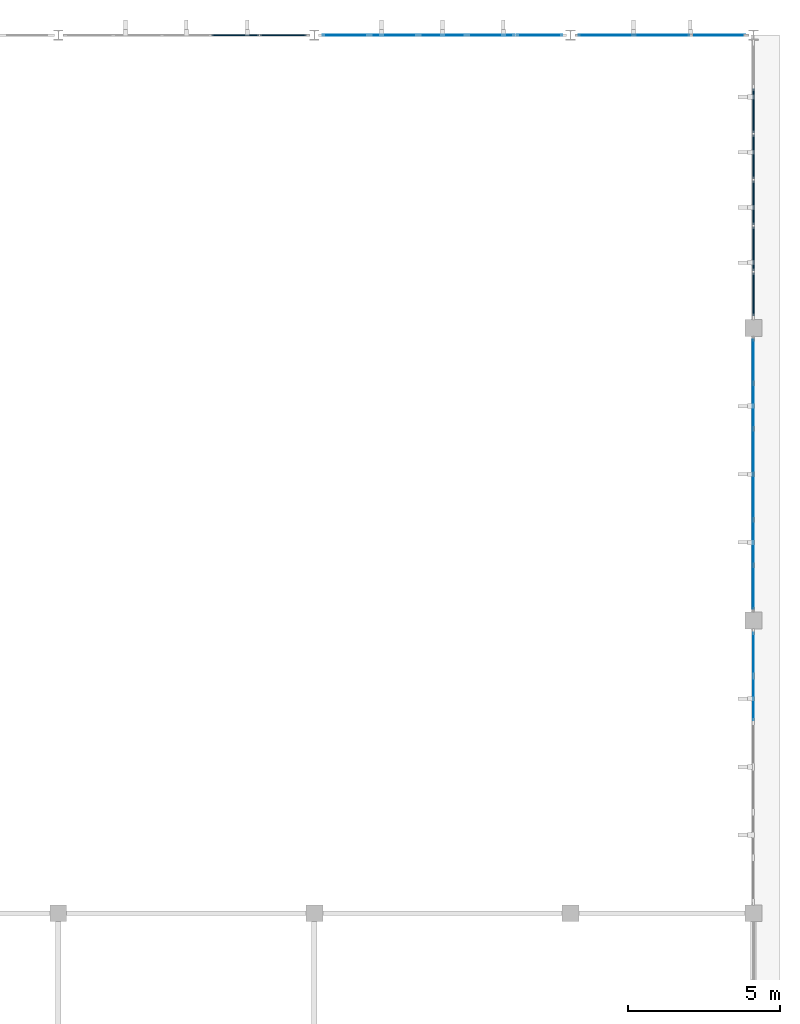
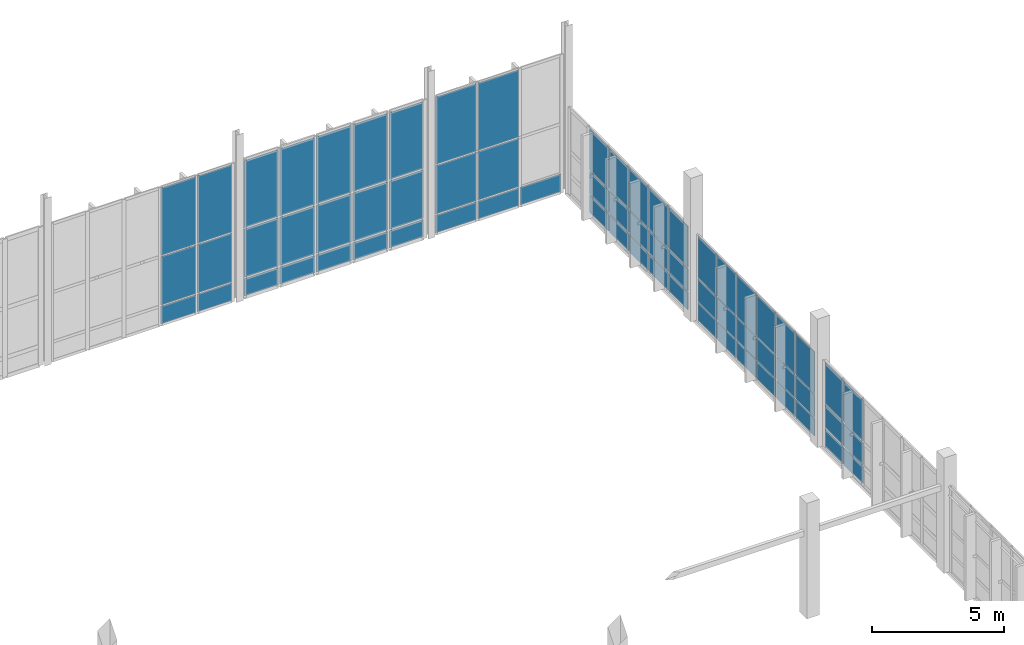
# One storey, part 40 of 67: 67 plates, 6 elements without a shape of their own.
"""IFC4 building model written with IfcOpenShell, lengths in metres."""

import ifcopenshell
import ifcopenshell.guid

model = None  # the IFC model being written
_history = None  # IfcOwnerHistory: only IFC2X3 demands one
_inside = {}  # id of a spatial element -> (the spatial element, [elements in it])
_under = {}  # id of a project, library or spatial element -> (it, [spatial elements below it])
_declared = {}  # id of a project -> (the project, [libraries it declares])
_typed = {}  # id of a type object -> (the type object, [elements of that type])
_made_of = {}  # id of a material, layer set ... -> (it, [elements and type objects made of it])


def new_model(schema):
    """Start an empty IFC model of exactly this schema.

    Asked for "IFC4X3", IfcOpenShell would pick the latest addendum, in which some entities
    have other attributes; the version numbers below select the first issue.
    IFC2X3 requires an IfcOwnerHistory on every rooted entity: one is made here for all.
    """
    global model, _history
    if schema == "IFC4X3":
        model = ifcopenshell.file(schema_version=(4, 3, 0, 0))
    else:
        model = ifcopenshell.file(schema=schema)
    _inside.clear()
    _under.clear()
    _declared.clear()
    _typed.clear()
    _made_of.clear()
    _history = None
    if model.schema == "IFC2X3":
        org = make("IfcOrganization", Name="unknown")
        user = make(
            "IfcPersonAndOrganization",
            ThePerson=make("IfcPerson", FamilyName="unknown"),
            TheOrganization=org,
        )
        app = make(
            "IfcApplication",
            ApplicationDeveloper=org,
            Version="unknown",
            ApplicationFullName="unknown",
            ApplicationIdentifier="unknown",
        )
        _history = make(
            "IfcOwnerHistory",
            OwningUser=user,
            OwningApplication=app,
            ChangeAction="ADDED",
            CreationDate=0,
        )
    return model


def make(cls, **values):
    """One entity of the class cls with the attributes given. An attribute that is None is left unset."""
    return model.create_entity(
        cls, **{name: value for name, value in values.items() if value is not None}
    )


def rooted(cls, **values):
    """An entity with a GlobalId (a new one), such as an element, a storey or a relation."""
    return make(cls, GlobalId=ifcopenshell.guid.new(), OwnerHistory=_history, **values)


def si_unit(unit_type, name, prefix=None):
    """IfcSIUnit, for example si_unit("LENGTHUNIT", "METRE", prefix="MILLI")."""
    return make("IfcSIUnit", UnitType=unit_type, Prefix=prefix, Name=name)


def assignment(units):
    """IfcUnitAssignment: the units of a project."""
    return None if units is None else make("IfcUnitAssignment", Units=units)


def point(xyz):
    """IfcCartesianPoint."""
    return None if xyz is None else make("IfcCartesianPoint", Coordinates=xyz)


def direction(xyz):
    """IfcDirection."""
    return None if xyz is None else make("IfcDirection", DirectionRatios=xyz)


def frame(location, z_axis=None, x_axis=None):
    """IfcAxis2Placement3D, a coordinate frame: its origin and axes. An axis left out is left unset."""
    return make(
        "IfcAxis2Placement3D",
        Location=point(location),
        Axis=direction(z_axis),
        RefDirection=direction(x_axis),
    )


def frame_2d(location, x_axis=None):
    """IfcAxis2Placement2D, a coordinate frame in the plane: its origin and x axis."""
    return make(
        "IfcAxis2Placement2D", Location=point(location), RefDirection=direction(x_axis)
    )


def origin():
    """The frame at (0, 0, 0) with its axes left unset."""
    return frame((0.0, 0.0, 0.0))


def origin_2d():
    """The frame at (0, 0) in the plane with its x axis left unset."""
    return frame_2d((0.0, 0.0))


def place(relative_to, where):
    """IfcLocalPlacement: puts the frame where relative to a parent placement (None: the world)."""
    return make(
        "IfcLocalPlacement", PlacementRelTo=relative_to, RelativePlacement=where
    )


def context(
    kind, dimensions, precision=None, world=None, true_north=None, identifier=None
):
    """IfcGeometricRepresentationContext, for example the 3D "Model" context."""
    return make(
        "IfcGeometricRepresentationContext",
        ContextIdentifier=identifier,
        ContextType=kind,
        CoordinateSpaceDimension=dimensions,
        Precision=precision,
        WorldCoordinateSystem=world,
        TrueNorth=true_north,
    )


def subcontext(parent, identifier, kind, view, scale=None):
    """IfcGeometricRepresentationSubContext, for example "Body" below "Model"."""
    return make(
        "IfcGeometricRepresentationSubContext",
        ContextIdentifier=identifier,
        ContextType=kind,
        ParentContext=parent,
        TargetScale=scale,
        TargetView=view,
    )


def project(units=None, contexts=None):
    """IfcProject with its units and contexts."""
    return rooted(
        "IfcProject",
        Name="project",
        RepresentationContexts=contexts,
        UnitsInContext=assignment(units),
    )


def spatial(cls, under=None, at=None, **own):
    """A site, building, storey or space (cls), placed at a placement, below another one or the project."""
    s = rooted(cls, ObjectPlacement=at, **own)
    if under is not None:
        _under.setdefault(under.id(), (under, []))[1].append(s)
    return s


def profile(cls, at=None, kind="AREA", **sizes):
    """A parametric profile (cls). Its sizes go by their IFC names, for example OverallWidth=200.0."""
    return make(cls, ProfileType=kind, Position=at, **sizes)


def rectangle(**sizes):
    """IfcRectangleProfileDef."""
    return profile("IfcRectangleProfileDef", **sizes)


def extrude(swept, where, along, depth):
    """IfcExtrudedAreaSolid: the profile swept, set in the frame where, extruded along a direction by depth."""
    return make(
        "IfcExtrudedAreaSolid",
        SweptArea=swept,
        Position=where,
        ExtrudedDirection=direction(along),
        Depth=depth,
    )


def shape(context_of_items, identifier, shape_type, items):
    """IfcShapeRepresentation: the items that make up one representation, for example the "Body"."""
    return make(
        "IfcShapeRepresentation",
        ContextOfItems=context_of_items,
        RepresentationIdentifier=identifier,
        RepresentationType=shape_type,
        Items=items,
    )


def material(Name=None, Category=None):
    """IfcMaterial."""
    return make("IfcMaterial", Name=Name, Category=Category)


def layer(
    of_material, thickness, ventilated=None, Name=None, Category=None, Priority=None
):
    """IfcMaterialLayer: one layer of a wall or slab, of a material (None: an air gap)."""
    return make(
        "IfcMaterialLayer",
        Material=of_material,
        LayerThickness=thickness,
        IsVentilated=ventilated,
        Name=Name,
        Category=Category,
        Priority=Priority,
    )


def layer_set(layers, Name=None):
    """IfcMaterialLayerSet."""
    return make("IfcMaterialLayerSet", MaterialLayers=layers, LayerSetName=Name)


def made_of(thing, what):
    """Note that an element or type object is made of a material, layer set ...; save() writes the relation."""
    if what is not None:
        _made_of.setdefault(what.id(), (what, []))[1].append(thing)
    return thing


def type_object(cls, material=None, **own):
    """A type object (cls), such as IfcWallType, which elements share."""
    return made_of(rooted(cls, **own), material)


def element(
    cls,
    number,
    at=None,
    inside=None,
    cuts=None,
    type_object=None,
    material=None,
    context=None,
    identifier="Body",
    shape_type=None,
    held_by="IfcProductDefinitionShape",
    body=None,
    shapes=None,
    **own,
):
    """One element of the class cls, such as IfcWall. Its Tag is "e" and its number.

    at: its placement. inside: the storey or other place that contains it. cuts: it is an
    opening in that element (IfcRelVoidsElement). A single representation is given by context,
    identifier, shape_type and body (its items); several are given by shapes. held_by: the class
    of the entity that holds the representations. save() writes the other relations.
    """
    e = rooted(cls, Tag="e%d" % number, ObjectPlacement=at, **own)
    if body is not None:
        shapes = [shape(context, identifier, shape_type, body)]
    if shapes is not None:
        e.Representation = make(held_by, Representations=shapes)
    if inside is not None:
        _inside.setdefault(inside.id(), (inside, []))[1].append(e)
    if cuts is not None:
        rooted(
            "IfcRelVoidsElement", RelatingBuildingElement=cuts, RelatedOpeningElement=e
        )
    if type_object is not None:
        _typed.setdefault(type_object.id(), (type_object, []))[1].append(e)
    return made_of(e, material)


def aggregate(whole, parts):
    """IfcRelAggregates: a whole, such as a stair, and the parts it consists of."""
    return rooted("IfcRelAggregates", RelatingObject=whole, RelatedObjects=parts)


def save(model, path):
    """Write the relations noted so far, then the file.

    IfcRelAggregates (storeys below a building ...), IfcRelContainedInSpatialStructure (elements
    in a storey), IfcRelDefinesByType, IfcRelAssociatesMaterial and IfcRelDeclares: one each for
    every whole, place, type object, material and project.
    """
    for whole, parts in _under.values():
        aggregate(whole, parts)
    for where, things in _inside.values():
        rooted(
            "IfcRelContainedInSpatialStructure",
            RelatedElements=things,
            RelatingStructure=where,
        )
    for kind, things in _typed.values():
        rooted("IfcRelDefinesByType", RelatedObjects=things, RelatingType=kind)
    for what, things in _made_of.values():
        rooted("IfcRelAssociatesMaterial", RelatedObjects=things, RelatingMaterial=what)
    for by, libraries in _declared.values():
        rooted("IfcRelDeclares", RelatingContext=by, RelatedDefinitions=libraries)
    model.write(path)


model = new_model("IFC4")

# Units and contexts
model_context = context("Model", 3, precision=1e-05, world=origin(), true_north=direction((0.0, 1.0)))
body_context = subcontext(model_context, "Body", "Model", "MODEL_VIEW")
ifc_project = project(units=[si_unit("LENGTHUNIT", "METRE"), si_unit("AREAUNIT", "SQUARE_METRE"), si_unit("VOLUMEUNIT", "CUBIC_METRE"), si_unit("PLANEANGLEUNIT", "RADIAN"), si_unit("MASSUNIT", "GRAM", prefix="KILO")], contexts=[model_context])

# Site, building, storey
site_placement = place(None, origin())
site = spatial("IfcSite", under=ifc_project, at=site_placement, CompositionType="ELEMENT")
building_placement = place(site_placement, origin())
building = spatial("IfcBuilding", under=site, at=building_placement, Name="Tizgana Railside Sports Hall", CompositionType="ELEMENT")
storey_placement = place(building_placement, frame((0.0, 0.0, 12.0)))
storey = spatial("IfcBuildingStorey", under=building, at=storey_placement, Name="L02", CompositionType="ELEMENT", Elevation=12.0)

# Curtain wall, plates
ifc_material_1 = material(Name="Anodised aluminium and glass", Category="aluminium")
curtain_wall_type_1 = type_object("IfcCurtainWallType", Name="Unitised Curtain Wall Foyer 1300", PredefinedType="NOTDEFINED", material=ifc_material_1)
curtain_wall_1_placement = place(storey_placement, origin())
curtain_wall_1 = element("IfcCurtainWall", 1, at=curtain_wall_1_placement, inside=storey, type_object=curtain_wall_type_1, Name="L02 Curtain Wall CW-0049", PredefinedType="NOTDEFINED")
ifc_material_2 = material(Name="Double low-E laminated glass", Category="glass")
ifc_layer_1 = layer(ifc_material_2, 0.033935546875, Name="Double low-E laminated glass")
ifc_layer_set_1 = layer_set([ifc_layer_1], Name="Double low-E laminated glass")
plate_type_1 = type_object("IfcPlateType", Name="Acoustic Laminated Glazing Panel 34", PredefinedType="CURTAIN_PANEL", material=ifc_layer_set_1)
plate_1_placement = place(storey_placement, frame((155.197998046875, 117.60009765625, 0.06005859375), z_axis=(0.0, 0.0, 1.0), x_axis=(1.0, 0.0, 0.0)))
plate_1 = element("IfcPlate", 2, at=plate_1_placement, type_object=plate_type_1, Name="CW-02 panel 4.1", PredefinedType="CURTAIN_PANEL", context=body_context, shape_type="SweptSolid", body=[
    extrude(rectangle(XDim=1.5380859375, YDim=0.033935546875, at=origin_2d()), origin(), (0.0, 0.0, 1.0), 0.81005859375),
])
plate_2_placement = place(storey_placement, frame((155.197998046875, 117.60009765625, 0.93017578125), z_axis=(0.0, 0.0, 1.0), x_axis=(1.0, 0.0, 0.0)))
plate_2 = element("IfcPlate", 3, at=plate_2_placement, type_object=plate_type_1, Name="CW-02 panel 4.2", PredefinedType="CURTAIN_PANEL", context=body_context, shape_type="SweptSolid", body=[
    extrude(rectangle(XDim=1.5380859375, YDim=0.033935546875, at=origin_2d()), origin(), (0.0, 0.0, 1.0), 2.239990234375),
])
plate_3_placement = place(storey_placement, frame((155.197998046875, 117.60009765625, 3.22998046875), z_axis=(0.0, 0.0, 1.0), x_axis=(1.0, 0.0, 0.0)))
plate_3 = element("IfcPlate", 4, at=plate_3_placement, type_object=plate_type_1, Name="CW-02 panel 4.3", PredefinedType="CURTAIN_PANEL", context=body_context, shape_type="SweptSolid", body=[
    extrude(rectangle(XDim=1.5380859375, YDim=0.033935546875, at=origin_2d()), origin(), (0.0, 0.0, 1.0), 3.110107421875),
])
plate_4_placement = place(storey_placement, frame((156.781005859375, 117.60009765625, 0.06005859375), z_axis=(0.0, 0.0, 1.0), x_axis=(1.0, 0.0, 0.0)))
plate_4 = element("IfcPlate", 5, at=plate_4_placement, type_object=plate_type_1, Name="CW-02 panel 5.1", PredefinedType="CURTAIN_PANEL", context=body_context, shape_type="SweptSolid", body=[
    extrude(rectangle(XDim=1.508056640625, YDim=0.033935546875, at=origin_2d()), origin(), (0.0, 0.0, 1.0), 0.81005859375),
])
plate_5_placement = place(storey_placement, frame((156.781005859375, 117.60009765625, 0.93017578125), z_axis=(0.0, 0.0, 1.0), x_axis=(1.0, 0.0, 0.0)))
plate_5 = element("IfcPlate", 6, at=plate_5_placement, type_object=plate_type_1, Name="CW-02 panel 5.2", PredefinedType="CURTAIN_PANEL", context=body_context, shape_type="SweptSolid", body=[
    extrude(rectangle(XDim=1.508056640625, YDim=0.033935546875, at=origin_2d()), origin(), (0.0, 0.0, 1.0), 2.239990234375),
])
plate_6_placement = place(storey_placement, frame((156.781005859375, 117.60009765625, 3.22998046875), z_axis=(0.0, 0.0, 1.0), x_axis=(1.0, 0.0, 0.0)))
plate_6 = element("IfcPlate", 7, at=plate_6_placement, type_object=plate_type_1, Name="CW-02 panel 5.3", PredefinedType="CURTAIN_PANEL", context=body_context, shape_type="SweptSolid", body=[
    extrude(rectangle(XDim=1.508056640625, YDim=0.033935546875, at=origin_2d()), origin(), (0.0, 0.0, 1.0), 3.110107421875),
])
aggregate(curtain_wall_1, [plate_1, plate_2, plate_3, plate_4, plate_5, plate_6])

curtain_wall_type_2 = type_object("IfcCurtainWallType", Name="Unitised Curtain Wall WestHall 1560", PredefinedType="NOTDEFINED", material=ifc_material_1)
curtain_wall_2_placement = place(storey_placement, origin())
curtain_wall_2 = element("IfcCurtainWall", 8, at=curtain_wall_2_placement, inside=storey, type_object=curtain_wall_type_2, Name="L02 Curtain Wall CW-0070", PredefinedType="NOTDEFINED")
ifc_layer_2 = layer(ifc_material_2, 0.0400390625, Name="Double low-E laminated glass")
ifc_layer_set_2 = layer_set([ifc_layer_2], Name="Double low-E laminated glass")
plate_type_2 = type_object("IfcPlateType", Name="High-Span Tempered Glazing Panel 40", PredefinedType="CURTAIN_PANEL", material=ifc_layer_set_2)
plate_7_placement = place(storey_placement, frame((172.199951171875, 109.10205078125, 0.070068359375), z_axis=(0.0, 0.0, 1.0), x_axis=(0.0, 1.0, 0.0)))
plate_7 = element("IfcPlate", 9, at=plate_7_placement, type_object=plate_type_2, Name="CW-07 panel 1.1", PredefinedType="CURTAIN_PANEL", context=body_context, shape_type="SweptSolid", body=[
    extrude(rectangle(XDim=1.404052734375, YDim=0.0400390625, at=origin_2d()), origin(), (0.0, 0.0, 1.0), 0.794921875),
])
plate_8_placement = place(storey_placement, frame((172.199951171875, 109.10205078125, 0.93505859375), z_axis=(0.0, 0.0, 1.0), x_axis=(0.0, 1.0, 0.0)))
plate_8 = element("IfcPlate", 10, at=plate_8_placement, type_object=plate_type_2, Name="CW-07 panel 1.2", PredefinedType="CURTAIN_PANEL", context=body_context, shape_type="SweptSolid", body=[
    extrude(rectangle(XDim=1.404052734375, YDim=0.0400390625, at=origin_2d()), origin(), (0.0, 0.0, 1.0), 1.030029296875),
])
plate_9_placement = place(storey_placement, frame((172.199951171875, 109.10205078125, 2.034912109375), z_axis=(0.0, 0.0, 1.0), x_axis=(0.0, 1.0, 0.0)))
plate_9 = element("IfcPlate", 11, at=plate_9_placement, type_object=plate_type_2, Name="CW-07 panel 1.3", PredefinedType="CURTAIN_PANEL", context=body_context, shape_type="SweptSolid", body=[
    extrude(rectangle(XDim=1.404052734375, YDim=0.0400390625, at=origin_2d()), origin(), (0.0, 0.0, 1.0), 1.89501953125),
])
plate_10_placement = place(storey_placement, frame((172.199951171875, 110.59375, 0.070068359375), z_axis=(0.0, 0.0, 1.0), x_axis=(0.0, 1.0, 0.0)))
plate_10 = element("IfcPlate", 12, at=plate_10_placement, type_object=plate_type_2, Name="CW-07 panel 2.1", PredefinedType="CURTAIN_PANEL", context=body_context, shape_type="SweptSolid", body=[
    extrude(rectangle(XDim=1.439208984375, YDim=0.0400390625, at=origin_2d()), origin(), (0.0, 0.0, 1.0), 0.794921875),
])
plate_11_placement = place(storey_placement, frame((172.199951171875, 110.59375, 0.93505859375), z_axis=(0.0, 0.0, 1.0), x_axis=(0.0, 1.0, 0.0)))
plate_11 = element("IfcPlate", 13, at=plate_11_placement, type_object=plate_type_2, Name="CW-07 panel 2.2", PredefinedType="CURTAIN_PANEL", context=body_context, shape_type="SweptSolid", body=[
    extrude(rectangle(XDim=1.439208984375, YDim=0.0400390625, at=origin_2d()), origin(), (0.0, 0.0, 1.0), 1.030029296875),
])
plate_12_placement = place(storey_placement, frame((172.199951171875, 110.59375, 2.034912109375), z_axis=(0.0, 0.0, 1.0), x_axis=(0.0, 1.0, 0.0)))
plate_12 = element("IfcPlate", 14, at=plate_12_placement, type_object=plate_type_2, Name="CW-07 panel 2.3", PredefinedType="CURTAIN_PANEL", context=body_context, shape_type="SweptSolid", body=[
    extrude(rectangle(XDim=1.439208984375, YDim=0.0400390625, at=origin_2d()), origin(), (0.0, 0.0, 1.0), 1.89501953125),
])
plate_13_placement = place(storey_placement, frame((172.199951171875, 112.10302734375, 0.070068359375), z_axis=(0.0, 0.0, 1.0), x_axis=(0.0, 1.0, 0.0)))
plate_13 = element("IfcPlate", 15, at=plate_13_placement, type_object=plate_type_2, Name="CW-07 panel 3.1", PredefinedType="CURTAIN_PANEL", context=body_context, shape_type="SweptSolid", body=[
    extrude(rectangle(XDim=1.439208984375, YDim=0.0400390625, at=origin_2d()), origin(), (0.0, 0.0, 1.0), 0.794921875),
])
plate_14_placement = place(storey_placement, frame((172.199951171875, 112.10302734375, 0.93505859375), z_axis=(0.0, 0.0, 1.0), x_axis=(0.0, 1.0, 0.0)))
plate_14 = element("IfcPlate", 16, at=plate_14_placement, type_object=plate_type_2, Name="CW-07 panel 3.2", PredefinedType="CURTAIN_PANEL", context=body_context, shape_type="SweptSolid", body=[
    extrude(rectangle(XDim=1.439208984375, YDim=0.0400390625, at=origin_2d()), origin(), (0.0, 0.0, 1.0), 1.030029296875),
])
plate_15_placement = place(storey_placement, frame((172.199951171875, 112.10302734375, 2.034912109375), z_axis=(0.0, 0.0, 1.0), x_axis=(0.0, 1.0, 0.0)))
plate_15 = element("IfcPlate", 17, at=plate_15_placement, type_object=plate_type_2, Name="CW-07 panel 3.3", PredefinedType="CURTAIN_PANEL", context=body_context, shape_type="SweptSolid", body=[
    extrude(rectangle(XDim=1.439208984375, YDim=0.0400390625, at=origin_2d()), origin(), (0.0, 0.0, 1.0), 1.89501953125),
])
plate_16_placement = place(storey_placement, frame((172.199951171875, 113.612060546875, 0.070068359375), z_axis=(0.0, 0.0, 1.0), x_axis=(0.0, 1.0, 0.0)))
plate_16 = element("IfcPlate", 18, at=plate_16_placement, type_object=plate_type_2, Name="CW-07 panel 4.1", PredefinedType="CURTAIN_PANEL", context=body_context, shape_type="SweptSolid", body=[
    extrude(rectangle(XDim=1.439208984375, YDim=0.0400390625, at=origin_2d()), origin(), (0.0, 0.0, 1.0), 0.794921875),
])
plate_17_placement = place(storey_placement, frame((172.199951171875, 113.612060546875, 0.93505859375), z_axis=(0.0, 0.0, 1.0), x_axis=(0.0, 1.0, 0.0)))
plate_17 = element("IfcPlate", 19, at=plate_17_placement, type_object=plate_type_2, Name="CW-07 panel 4.2", PredefinedType="CURTAIN_PANEL", context=body_context, shape_type="SweptSolid", body=[
    extrude(rectangle(XDim=1.439208984375, YDim=0.0400390625, at=origin_2d()), origin(), (0.0, 0.0, 1.0), 1.030029296875),
])
plate_18_placement = place(storey_placement, frame((172.199951171875, 113.612060546875, 2.034912109375), z_axis=(0.0, 0.0, 1.0), x_axis=(0.0, 1.0, 0.0)))
plate_18 = element("IfcPlate", 20, at=plate_18_placement, type_object=plate_type_2, Name="CW-07 panel 4.3", PredefinedType="CURTAIN_PANEL", context=body_context, shape_type="SweptSolid", body=[
    extrude(rectangle(XDim=1.439208984375, YDim=0.0400390625, at=origin_2d()), origin(), (0.0, 0.0, 1.0), 1.89501953125),
])
plate_19_placement = place(storey_placement, frame((172.199951171875, 115.121337890625, 0.070068359375), z_axis=(0.0, 0.0, 1.0), x_axis=(0.0, 1.0, 0.0)))
plate_19 = element("IfcPlate", 21, at=plate_19_placement, type_object=plate_type_2, Name="CW-07 panel 5.1", PredefinedType="CURTAIN_PANEL", context=body_context, shape_type="SweptSolid", body=[
    extrude(rectangle(XDim=1.439208984375, YDim=0.0400390625, at=origin_2d()), origin(), (0.0, 0.0, 1.0), 0.794921875),
])
plate_20_placement = place(storey_placement, frame((172.199951171875, 115.121337890625, 0.93505859375), z_axis=(0.0, 0.0, 1.0), x_axis=(0.0, 1.0, 0.0)))
plate_20 = element("IfcPlate", 22, at=plate_20_placement, type_object=plate_type_2, Name="CW-07 panel 5.2", PredefinedType="CURTAIN_PANEL", context=body_context, shape_type="SweptSolid", body=[
    extrude(rectangle(XDim=1.439208984375, YDim=0.0400390625, at=origin_2d()), origin(), (0.0, 0.0, 1.0), 1.030029296875),
])
plate_21_placement = place(storey_placement, frame((172.199951171875, 115.121337890625, 2.034912109375), z_axis=(0.0, 0.0, 1.0), x_axis=(0.0, 1.0, 0.0)))
plate_21 = element("IfcPlate", 23, at=plate_21_placement, type_object=plate_type_2, Name="CW-07 panel 5.3", PredefinedType="CURTAIN_PANEL", context=body_context, shape_type="SweptSolid", body=[
    extrude(rectangle(XDim=1.439208984375, YDim=0.0400390625, at=origin_2d()), origin(), (0.0, 0.0, 1.0), 1.89501953125),
])
aggregate(curtain_wall_2, [plate_7, plate_8, plate_9, plate_10, plate_11, plate_12, plate_13, plate_14, plate_15, plate_16, plate_17, plate_18, plate_19, plate_20, plate_21])

curtain_wall_type_3 = type_object("IfcCurtainWallType", Name="Unitised Curtain Wall EastHall 1500", PredefinedType="NOTDEFINED", material=ifc_material_1)
curtain_wall_3_placement = place(storey_placement, origin())
curtain_wall_3 = element("IfcCurtainWall", 24, at=curtain_wall_3_placement, inside=storey, type_object=curtain_wall_type_3, Name="L02 Curtain Wall CW-0055", PredefinedType="NOTDEFINED")
ifc_layer_3 = layer(ifc_material_2, 0.031982421875, Name="Double low-E laminated glass")
ifc_layer_set_3 = layer_set([ifc_layer_3], Name="Double low-E laminated glass")
plate_type_3 = type_object("IfcPlateType", Name="North-Light Clerestory Glazing Panel 32", PredefinedType="CURTAIN_PANEL", material=ifc_layer_set_3)
plate_22_placement = place(storey_placement, frame((167.3515625, 117.60009765625, 0.06005859375), z_axis=(0.0, 0.0, 1.0), x_axis=(1.0, 0.0, 0.0)))
plate_22 = element("IfcPlate", 25, at=plate_22_placement, type_object=plate_type_3, Name="CW-08 panel 1.1", PredefinedType="CURTAIN_PANEL", context=body_context, shape_type="SweptSolid", body=[
    extrude(rectangle(XDim=1.7734375, YDim=0.031982421875, at=origin_2d()), origin(), (0.0, 0.0, 1.0), 0.81005859375),
])
plate_23_placement = place(storey_placement, frame((167.3515625, 117.60009765625, 0.93017578125), z_axis=(0.0, 0.0, 1.0), x_axis=(1.0, 0.0, 0.0)))
plate_23 = element("IfcPlate", 26, at=plate_23_placement, type_object=plate_type_3, Name="CW-08 panel 1.2", PredefinedType="CURTAIN_PANEL", context=body_context, shape_type="SweptSolid", body=[
    extrude(rectangle(XDim=1.7734375, YDim=0.031982421875, at=origin_2d()), origin(), (0.0, 0.0, 1.0), 2.239990234375),
])
plate_24_placement = place(storey_placement, frame((167.3515625, 117.60009765625, 3.22998046875), z_axis=(0.0, 0.0, 1.0), x_axis=(1.0, 0.0, 0.0)))
plate_24 = element("IfcPlate", 27, at=plate_24_placement, type_object=plate_type_3, Name="CW-08 panel 1.3", PredefinedType="CURTAIN_PANEL", context=body_context, shape_type="SweptSolid", body=[
    extrude(rectangle(XDim=1.7734375, YDim=0.031982421875, at=origin_2d()), origin(), (0.0, 0.0, 1.0), 3.110107421875),
])
plate_25_placement = place(storey_placement, frame((169.199951171875, 117.60009765625, 0.06005859375), z_axis=(0.0, 0.0, 1.0), x_axis=(1.0, 0.0, 0.0)))
plate_25 = element("IfcPlate", 28, at=plate_25_placement, type_object=plate_type_3, Name="CW-08 panel 2.1", PredefinedType="CURTAIN_PANEL", context=body_context, shape_type="SweptSolid", body=[
    extrude(rectangle(XDim=1.80322265625, YDim=0.031982421875, at=origin_2d()), origin(), (0.0, 0.0, 1.0), 0.81005859375),
])
plate_26_placement = place(storey_placement, frame((169.199951171875, 117.60009765625, 0.93017578125), z_axis=(0.0, 0.0, 1.0), x_axis=(1.0, 0.0, 0.0)))
plate_26 = element("IfcPlate", 29, at=plate_26_placement, type_object=plate_type_3, Name="CW-08 panel 2.2", PredefinedType="CURTAIN_PANEL", context=body_context, shape_type="SweptSolid", body=[
    extrude(rectangle(XDim=1.80322265625, YDim=0.031982421875, at=origin_2d()), origin(), (0.0, 0.0, 1.0), 2.239990234375),
])
plate_27_placement = place(storey_placement, frame((169.199951171875, 117.60009765625, 3.22998046875), z_axis=(0.0, 0.0, 1.0), x_axis=(1.0, 0.0, 0.0)))
plate_27 = element("IfcPlate", 30, at=plate_27_placement, type_object=plate_type_3, Name="CW-08 panel 2.3", PredefinedType="CURTAIN_PANEL", context=body_context, shape_type="SweptSolid", body=[
    extrude(rectangle(XDim=1.80322265625, YDim=0.031982421875, at=origin_2d()), origin(), (0.0, 0.0, 1.0), 3.110107421875),
])
plate_28_placement = place(storey_placement, frame((171.04833984375, 117.60009765625, 0.06005859375), z_axis=(0.0, 0.0, 1.0), x_axis=(1.0, 0.0, 0.0)))
plate_28 = element("IfcPlate", 31, at=plate_28_placement, type_object=plate_type_3, Name="CW-08 panel 3.1", PredefinedType="CURTAIN_PANEL", context=body_context, shape_type="SweptSolid", body=[
    extrude(rectangle(XDim=1.7734375, YDim=0.031982421875, at=origin_2d()), origin(), (0.0, 0.0, 1.0), 0.81005859375),
])
aggregate(curtain_wall_3, [plate_22, plate_23, plate_24, plate_25, plate_26, plate_27, plate_28])

curtain_wall_type_4 = type_object("IfcCurtainWallType", Name="Unitised Curtain Wall Climbing 1600", PredefinedType="NOTDEFINED", material=ifc_material_1)
curtain_wall_4_placement = place(storey_placement, origin())
curtain_wall_4 = element("IfcCurtainWall", 32, at=curtain_wall_4_placement, inside=storey, type_object=curtain_wall_type_4, Name="L02 Curtain Wall CW-0067", PredefinedType="NOTDEFINED")
plate_29_placement = place(storey_placement, frame((172.199951171875, 99.489990234375, 0.06005859375), z_axis=(0.0, 0.0, 1.0), x_axis=(0.0, 1.0, 0.0)))
plate_29 = element("IfcPlate", 33, at=plate_29_placement, type_object=plate_type_3, Name="CW-04 panel 1.1", PredefinedType="CURTAIN_PANEL", context=body_context, shape_type="SweptSolid", body=[
    extrude(rectangle(XDim=1.39990234375, YDim=0.031982421875, at=origin_2d()), origin(), (0.0, 0.0, 1.0), 0.81005859375),
])
plate_30_placement = place(storey_placement, frame((172.199951171875, 99.489990234375, 0.929931640625), z_axis=(0.0, 0.0, 1.0), x_axis=(0.0, 1.0, 0.0)))
plate_30 = element("IfcPlate", 34, at=plate_30_placement, type_object=plate_type_3, Name="CW-04 panel 1.2", PredefinedType="CURTAIN_PANEL", context=body_context, shape_type="SweptSolid", body=[
    extrude(rectangle(XDim=1.39990234375, YDim=0.031982421875, at=origin_2d()), origin(), (0.0, 0.0, 1.0), 1.0400390625),
])
plate_31_placement = place(storey_placement, frame((172.199951171875, 99.489990234375, 2.0302734375), z_axis=(0.0, 0.0, 1.0), x_axis=(0.0, 1.0, 0.0)))
plate_31 = element("IfcPlate", 35, at=plate_31_placement, type_object=plate_type_3, Name="CW-04 panel 1.3", PredefinedType="CURTAIN_PANEL", context=body_context, shape_type="SweptSolid", body=[
    extrude(rectangle(XDim=1.39990234375, YDim=0.031982421875, at=origin_2d()), origin(), (0.0, 0.0, 1.0), 1.909912109375),
])
plate_32_placement = place(storey_placement, frame((172.199951171875, 100.965087890625, 0.06005859375), z_axis=(0.0, 0.0, 1.0), x_axis=(0.0, 1.0, 0.0)))
plate_32 = element("IfcPlate", 36, at=plate_32_placement, type_object=plate_type_3, Name="CW-04 panel 2.1", PredefinedType="CURTAIN_PANEL", context=body_context, shape_type="SweptSolid", body=[
    extrude(rectangle(XDim=1.429931640625, YDim=0.031982421875, at=origin_2d()), origin(), (0.0, 0.0, 1.0), 0.81005859375),
])
plate_33_placement = place(storey_placement, frame((172.199951171875, 100.965087890625, 0.929931640625), z_axis=(0.0, 0.0, 1.0), x_axis=(0.0, 1.0, 0.0)))
plate_33 = element("IfcPlate", 37, at=plate_33_placement, type_object=plate_type_3, Name="CW-04 panel 2.2", PredefinedType="CURTAIN_PANEL", context=body_context, shape_type="SweptSolid", body=[
    extrude(rectangle(XDim=1.429931640625, YDim=0.031982421875, at=origin_2d()), origin(), (0.0, 0.0, 1.0), 1.0400390625),
])
plate_34_placement = place(storey_placement, frame((172.199951171875, 100.965087890625, 2.0302734375), z_axis=(0.0, 0.0, 1.0), x_axis=(0.0, 1.0, 0.0)))
plate_34 = element("IfcPlate", 38, at=plate_34_placement, type_object=plate_type_3, Name="CW-04 panel 2.3", PredefinedType="CURTAIN_PANEL", context=body_context, shape_type="SweptSolid", body=[
    extrude(rectangle(XDim=1.429931640625, YDim=0.031982421875, at=origin_2d()), origin(), (0.0, 0.0, 1.0), 1.909912109375),
])
plate_35_placement = place(storey_placement, frame((172.199951171875, 102.455078125, 0.06005859375), z_axis=(0.0, 0.0, 1.0), x_axis=(0.0, 1.0, 0.0)))
plate_35 = element("IfcPlate", 39, at=plate_35_placement, type_object=plate_type_3, Name="CW-04 panel 3.1", PredefinedType="CURTAIN_PANEL", context=body_context, shape_type="SweptSolid", body=[
    extrude(rectangle(XDim=1.429931640625, YDim=0.031982421875, at=origin_2d()), origin(), (0.0, 0.0, 1.0), 0.81005859375),
])
plate_36_placement = place(storey_placement, frame((172.199951171875, 102.455078125, 0.929931640625), z_axis=(0.0, 0.0, 1.0), x_axis=(0.0, 1.0, 0.0)))
plate_36 = element("IfcPlate", 40, at=plate_36_placement, type_object=plate_type_3, Name="CW-04 panel 3.2", PredefinedType="CURTAIN_PANEL", context=body_context, shape_type="SweptSolid", body=[
    extrude(rectangle(XDim=1.429931640625, YDim=0.031982421875, at=origin_2d()), origin(), (0.0, 0.0, 1.0), 1.0400390625),
])
plate_37_placement = place(storey_placement, frame((172.199951171875, 102.455078125, 2.0302734375), z_axis=(0.0, 0.0, 1.0), x_axis=(0.0, 1.0, 0.0)))
plate_37 = element("IfcPlate", 41, at=plate_37_placement, type_object=plate_type_3, Name="CW-04 panel 3.3", PredefinedType="CURTAIN_PANEL", context=body_context, shape_type="SweptSolid", body=[
    extrude(rectangle(XDim=1.429931640625, YDim=0.031982421875, at=origin_2d()), origin(), (0.0, 0.0, 1.0), 1.909912109375),
])
plate_38_placement = place(storey_placement, frame((172.199951171875, 103.945068359375, 0.06005859375), z_axis=(0.0, 0.0, 1.0), x_axis=(0.0, 1.0, 0.0)))
plate_38 = element("IfcPlate", 42, at=plate_38_placement, type_object=plate_type_3, Name="CW-04 panel 4.1", PredefinedType="CURTAIN_PANEL", context=body_context, shape_type="SweptSolid", body=[
    extrude(rectangle(XDim=1.429931640625, YDim=0.031982421875, at=origin_2d()), origin(), (0.0, 0.0, 1.0), 0.81005859375),
])
plate_39_placement = place(storey_placement, frame((172.199951171875, 103.945068359375, 0.929931640625), z_axis=(0.0, 0.0, 1.0), x_axis=(0.0, 1.0, 0.0)))
plate_39 = element("IfcPlate", 43, at=plate_39_placement, type_object=plate_type_3, Name="CW-04 panel 4.2", PredefinedType="CURTAIN_PANEL", context=body_context, shape_type="SweptSolid", body=[
    extrude(rectangle(XDim=1.429931640625, YDim=0.031982421875, at=origin_2d()), origin(), (0.0, 0.0, 1.0), 1.0400390625),
])
plate_40_placement = place(storey_placement, frame((172.199951171875, 103.945068359375, 2.0302734375), z_axis=(0.0, 0.0, 1.0), x_axis=(0.0, 1.0, 0.0)))
plate_40 = element("IfcPlate", 44, at=plate_40_placement, type_object=plate_type_3, Name="CW-04 panel 4.3", PredefinedType="CURTAIN_PANEL", context=body_context, shape_type="SweptSolid", body=[
    extrude(rectangle(XDim=1.429931640625, YDim=0.031982421875, at=origin_2d()), origin(), (0.0, 0.0, 1.0), 1.909912109375),
])
plate_41_placement = place(storey_placement, frame((172.199951171875, 105.43505859375, 0.06005859375), z_axis=(0.0, 0.0, 1.0), x_axis=(0.0, 1.0, 0.0)))
plate_41 = element("IfcPlate", 45, at=plate_41_placement, type_object=plate_type_3, Name="CW-04 panel 5.1", PredefinedType="CURTAIN_PANEL", context=body_context, shape_type="SweptSolid", body=[
    extrude(rectangle(XDim=1.429931640625, YDim=0.031982421875, at=origin_2d()), origin(), (0.0, 0.0, 1.0), 0.81005859375),
])
plate_42_placement = place(storey_placement, frame((172.199951171875, 105.43505859375, 0.929931640625), z_axis=(0.0, 0.0, 1.0), x_axis=(0.0, 1.0, 0.0)))
plate_42 = element("IfcPlate", 46, at=plate_42_placement, type_object=plate_type_3, Name="CW-04 panel 5.2", PredefinedType="CURTAIN_PANEL", context=body_context, shape_type="SweptSolid", body=[
    extrude(rectangle(XDim=1.429931640625, YDim=0.031982421875, at=origin_2d()), origin(), (0.0, 0.0, 1.0), 1.0400390625),
])
plate_43_placement = place(storey_placement, frame((172.199951171875, 105.43505859375, 2.0302734375), z_axis=(0.0, 0.0, 1.0), x_axis=(0.0, 1.0, 0.0)))
plate_43 = element("IfcPlate", 47, at=plate_43_placement, type_object=plate_type_3, Name="CW-04 panel 5.3", PredefinedType="CURTAIN_PANEL", context=body_context, shape_type="SweptSolid", body=[
    extrude(rectangle(XDim=1.429931640625, YDim=0.031982421875, at=origin_2d()), origin(), (0.0, 0.0, 1.0), 1.909912109375),
])
plate_44_placement = place(storey_placement, frame((172.199951171875, 106.909912109375, 0.06005859375), z_axis=(0.0, 0.0, 1.0), x_axis=(0.0, 1.0, 0.0)))
plate_44 = element("IfcPlate", 48, at=plate_44_placement, type_object=plate_type_3, Name="CW-04 panel 6.1", PredefinedType="CURTAIN_PANEL", context=body_context, shape_type="SweptSolid", body=[
    extrude(rectangle(XDim=1.39990234375, YDim=0.031982421875, at=origin_2d()), origin(), (0.0, 0.0, 1.0), 0.81005859375),
])
plate_45_placement = place(storey_placement, frame((172.199951171875, 106.909912109375, 0.929931640625), z_axis=(0.0, 0.0, 1.0), x_axis=(0.0, 1.0, 0.0)))
plate_45 = element("IfcPlate", 49, at=plate_45_placement, type_object=plate_type_3, Name="CW-04 panel 6.2", PredefinedType="CURTAIN_PANEL", context=body_context, shape_type="SweptSolid", body=[
    extrude(rectangle(XDim=1.39990234375, YDim=0.031982421875, at=origin_2d()), origin(), (0.0, 0.0, 1.0), 1.0400390625),
])
plate_46_placement = place(storey_placement, frame((172.199951171875, 106.909912109375, 2.0302734375), z_axis=(0.0, 0.0, 1.0), x_axis=(0.0, 1.0, 0.0)))
plate_46 = element("IfcPlate", 50, at=plate_46_placement, type_object=plate_type_3, Name="CW-04 panel 6.3", PredefinedType="CURTAIN_PANEL", context=body_context, shape_type="SweptSolid", body=[
    extrude(rectangle(XDim=1.39990234375, YDim=0.031982421875, at=origin_2d()), origin(), (0.0, 0.0, 1.0), 1.909912109375),
])
aggregate(curtain_wall_4, [plate_29, plate_30, plate_31, plate_32, plate_33, plate_34, plate_35, plate_36, plate_37, plate_38, plate_39, plate_40, plate_41, plate_42, plate_43, plate_44, plate_45, plate_46])

curtain_wall_type_5 = type_object("IfcCurtainWallType", Name="Unitised Curtain Wall Clinic 1200", PredefinedType="NOTDEFINED", material=ifc_material_1)
curtain_wall_5_placement = place(storey_placement, origin())
curtain_wall_5 = element("IfcCurtainWall", 51, at=curtain_wall_5_placement, inside=storey, type_object=curtain_wall_type_5, Name="L02 Curtain Wall CW-0052", PredefinedType="NOTDEFINED")
ifc_layer_4 = layer(ifc_material_2, 0.028076171875, Name="Double low-E laminated glass")
ifc_layer_set_4 = layer_set([ifc_layer_4], Name="Double low-E laminated glass")
plate_type_4 = type_object("IfcPlateType", Name="Solar Low-E Glazing Panel 28", PredefinedType="CURTAIN_PANEL", material=ifc_layer_set_4)
plate_47_placement = place(storey_placement, frame((158.821533203125, 117.60009765625, 0.070068359375), z_axis=(0.0, 0.0, 1.0), x_axis=(1.0, 0.0, 0.0)))
plate_47 = element("IfcPlate", 52, at=plate_47_placement, type_object=plate_type_4, Name="CW-05 panel 1.1", PredefinedType="CURTAIN_PANEL", context=body_context, shape_type="SweptSolid", body=[
    extrude(rectangle(XDim=1.492919921875, YDim=0.028076171875, at=origin_2d()), origin(), (0.0, 0.0, 1.0), 0.794921875),
])
plate_48_placement = place(storey_placement, frame((158.821533203125, 117.60009765625, 0.93505859375), z_axis=(0.0, 0.0, 1.0), x_axis=(1.0, 0.0, 0.0)))
plate_48 = element("IfcPlate", 53, at=plate_48_placement, type_object=plate_type_4, Name="CW-05 panel 1.2", PredefinedType="CURTAIN_PANEL", context=body_context, shape_type="SweptSolid", body=[
    extrude(rectangle(XDim=1.492919921875, YDim=0.028076171875, at=origin_2d()), origin(), (0.0, 0.0, 1.0), 2.22998046875),
])
plate_49_placement = place(storey_placement, frame((158.821533203125, 117.60009765625, 3.23486328125), z_axis=(0.0, 0.0, 1.0), x_axis=(1.0, 0.0, 0.0)))
plate_49 = element("IfcPlate", 54, at=plate_49_placement, type_object=plate_type_4, Name="CW-05 panel 1.3", PredefinedType="CURTAIN_PANEL", context=body_context, shape_type="SweptSolid", body=[
    extrude(rectangle(XDim=1.492919921875, YDim=0.028076171875, at=origin_2d()), origin(), (0.0, 0.0, 1.0), 3.094970703125),
])
plate_50_placement = place(storey_placement, frame((160.402099609375, 117.60009765625, 0.070068359375), z_axis=(0.0, 0.0, 1.0), x_axis=(1.0, 0.0, 0.0)))
plate_50 = element("IfcPlate", 55, at=plate_50_placement, type_object=plate_type_4, Name="CW-05 panel 2.1", PredefinedType="CURTAIN_PANEL", context=body_context, shape_type="SweptSolid", body=[
    extrude(rectangle(XDim=1.528076171875, YDim=0.028076171875, at=origin_2d()), origin(), (0.0, 0.0, 1.0), 0.794921875),
])
plate_51_placement = place(storey_placement, frame((160.402099609375, 117.60009765625, 0.93505859375), z_axis=(0.0, 0.0, 1.0), x_axis=(1.0, 0.0, 0.0)))
plate_51 = element("IfcPlate", 56, at=plate_51_placement, type_object=plate_type_4, Name="CW-05 panel 2.2", PredefinedType="CURTAIN_PANEL", context=body_context, shape_type="SweptSolid", body=[
    extrude(rectangle(XDim=1.528076171875, YDim=0.028076171875, at=origin_2d()), origin(), (0.0, 0.0, 1.0), 2.22998046875),
])
plate_52_placement = place(storey_placement, frame((160.402099609375, 117.60009765625, 3.23486328125), z_axis=(0.0, 0.0, 1.0), x_axis=(1.0, 0.0, 0.0)))
plate_52 = element("IfcPlate", 57, at=plate_52_placement, type_object=plate_type_4, Name="CW-05 panel 2.3", PredefinedType="CURTAIN_PANEL", context=body_context, shape_type="SweptSolid", body=[
    extrude(rectangle(XDim=1.528076171875, YDim=0.028076171875, at=origin_2d()), origin(), (0.0, 0.0, 1.0), 3.094970703125),
])
plate_53_placement = place(storey_placement, frame((162.0, 117.60009765625, 0.070068359375), z_axis=(0.0, 0.0, 1.0), x_axis=(1.0, 0.0, 0.0)))
plate_53 = element("IfcPlate", 58, at=plate_53_placement, type_object=plate_type_4, Name="CW-05 panel 3.1", PredefinedType="CURTAIN_PANEL", context=body_context, shape_type="SweptSolid", body=[
    extrude(rectangle(XDim=1.528076171875, YDim=0.028076171875, at=origin_2d()), origin(), (0.0, 0.0, 1.0), 0.794921875),
])
plate_54_placement = place(storey_placement, frame((162.0, 117.60009765625, 0.93505859375), z_axis=(0.0, 0.0, 1.0), x_axis=(1.0, 0.0, 0.0)))
plate_54 = element("IfcPlate", 59, at=plate_54_placement, type_object=plate_type_4, Name="CW-05 panel 3.2", PredefinedType="CURTAIN_PANEL", context=body_context, shape_type="SweptSolid", body=[
    extrude(rectangle(XDim=1.528076171875, YDim=0.028076171875, at=origin_2d()), origin(), (0.0, 0.0, 1.0), 2.22998046875),
])
plate_55_placement = place(storey_placement, frame((162.0, 117.60009765625, 3.23486328125), z_axis=(0.0, 0.0, 1.0), x_axis=(1.0, 0.0, 0.0)))
plate_55 = element("IfcPlate", 60, at=plate_55_placement, type_object=plate_type_4, Name="CW-05 panel 3.3", PredefinedType="CURTAIN_PANEL", context=body_context, shape_type="SweptSolid", body=[
    extrude(rectangle(XDim=1.528076171875, YDim=0.028076171875, at=origin_2d()), origin(), (0.0, 0.0, 1.0), 3.094970703125),
])
plate_56_placement = place(storey_placement, frame((163.597900390625, 117.60009765625, 0.070068359375), z_axis=(0.0, 0.0, 1.0), x_axis=(1.0, 0.0, 0.0)))
plate_56 = element("IfcPlate", 61, at=plate_56_placement, type_object=plate_type_4, Name="CW-05 panel 4.1", PredefinedType="CURTAIN_PANEL", context=body_context, shape_type="SweptSolid", body=[
    extrude(rectangle(XDim=1.528076171875, YDim=0.028076171875, at=origin_2d()), origin(), (0.0, 0.0, 1.0), 0.794921875),
])
plate_57_placement = place(storey_placement, frame((163.597900390625, 117.60009765625, 0.93505859375), z_axis=(0.0, 0.0, 1.0), x_axis=(1.0, 0.0, 0.0)))
plate_57 = element("IfcPlate", 62, at=plate_57_placement, type_object=plate_type_4, Name="CW-05 panel 4.2", PredefinedType="CURTAIN_PANEL", context=body_context, shape_type="SweptSolid", body=[
    extrude(rectangle(XDim=1.528076171875, YDim=0.028076171875, at=origin_2d()), origin(), (0.0, 0.0, 1.0), 2.22998046875),
])
plate_58_placement = place(storey_placement, frame((163.597900390625, 117.60009765625, 3.23486328125), z_axis=(0.0, 0.0, 1.0), x_axis=(1.0, 0.0, 0.0)))
plate_58 = element("IfcPlate", 63, at=plate_58_placement, type_object=plate_type_4, Name="CW-05 panel 4.3", PredefinedType="CURTAIN_PANEL", context=body_context, shape_type="SweptSolid", body=[
    extrude(rectangle(XDim=1.528076171875, YDim=0.028076171875, at=origin_2d()), origin(), (0.0, 0.0, 1.0), 3.094970703125),
])
plate_59_placement = place(storey_placement, frame((165.178466796875, 117.60009765625, 0.070068359375), z_axis=(0.0, 0.0, 1.0), x_axis=(1.0, 0.0, 0.0)))
plate_59 = element("IfcPlate", 64, at=plate_59_placement, type_object=plate_type_4, Name="CW-05 panel 5.1", PredefinedType="CURTAIN_PANEL", context=body_context, shape_type="SweptSolid", body=[
    extrude(rectangle(XDim=1.492919921875, YDim=0.028076171875, at=origin_2d()), origin(), (0.0, 0.0, 1.0), 0.794921875),
])
plate_60_placement = place(storey_placement, frame((165.178466796875, 117.60009765625, 0.93505859375), z_axis=(0.0, 0.0, 1.0), x_axis=(1.0, 0.0, 0.0)))
plate_60 = element("IfcPlate", 65, at=plate_60_placement, type_object=plate_type_4, Name="CW-05 panel 5.2", PredefinedType="CURTAIN_PANEL", context=body_context, shape_type="SweptSolid", body=[
    extrude(rectangle(XDim=1.492919921875, YDim=0.028076171875, at=origin_2d()), origin(), (0.0, 0.0, 1.0), 2.22998046875),
])
plate_61_placement = place(storey_placement, frame((165.178466796875, 117.60009765625, 3.23486328125), z_axis=(0.0, 0.0, 1.0), x_axis=(1.0, 0.0, 0.0)))
plate_61 = element("IfcPlate", 66, at=plate_61_placement, type_object=plate_type_4, Name="CW-05 panel 5.3", PredefinedType="CURTAIN_PANEL", context=body_context, shape_type="SweptSolid", body=[
    extrude(rectangle(XDim=1.492919921875, YDim=0.028076171875, at=origin_2d()), origin(), (0.0, 0.0, 1.0), 3.094970703125),
])
aggregate(curtain_wall_5, [plate_47, plate_48, plate_49, plate_50, plate_51, plate_52, plate_53, plate_54, plate_55, plate_56, plate_57, plate_58, plate_59, plate_60, plate_61])

curtain_wall_type_6 = type_object("IfcCurtainWallType", Name="Unitised Curtain Wall Concourse 1500", PredefinedType="NOTDEFINED", material=ifc_material_1)
curtain_wall_6_placement = place(storey_placement, origin())
curtain_wall_6 = element("IfcCurtainWall", 67, at=curtain_wall_6_placement, inside=storey, type_object=curtain_wall_type_6, Name="L02 Curtain Wall CW-0064", PredefinedType="NOTDEFINED")
plate_62_placement = place(storey_placement, frame((172.199951171875, 95.8349609375, 0.070068359375), z_axis=(0.0, 0.0, 1.0), x_axis=(0.0, 1.0, 0.0)))
plate_62 = element("IfcPlate", 68, at=plate_62_placement, type_object=plate_type_4, Name="CW-01 panel 5.1", PredefinedType="CURTAIN_PANEL", context=body_context, shape_type="SweptSolid", body=[
    extrude(rectangle(XDim=1.419921875, YDim=0.028076171875, at=origin_2d()), origin(), (0.0, 0.0, 1.0), 0.794921875),
])
plate_63_placement = place(storey_placement, frame((172.199951171875, 95.8349609375, 0.93505859375), z_axis=(0.0, 0.0, 1.0), x_axis=(0.0, 1.0, 0.0)))
plate_63 = element("IfcPlate", 69, at=plate_63_placement, type_object=plate_type_4, Name="CW-01 panel 5.2", PredefinedType="CURTAIN_PANEL", context=body_context, shape_type="SweptSolid", body=[
    extrude(rectangle(XDim=1.419921875, YDim=0.028076171875, at=origin_2d()), origin(), (0.0, 0.0, 1.0), 1.030029296875),
])
plate_64_placement = place(storey_placement, frame((172.199951171875, 95.8349609375, 2.034912109375), z_axis=(0.0, 0.0, 1.0), x_axis=(0.0, 1.0, 0.0)))
plate_64 = element("IfcPlate", 70, at=plate_64_placement, type_object=plate_type_4, Name="CW-01 panel 5.3", PredefinedType="CURTAIN_PANEL", context=body_context, shape_type="SweptSolid", body=[
    extrude(rectangle(XDim=1.419921875, YDim=0.028076171875, at=origin_2d()), origin(), (0.0, 0.0, 1.0), 1.89501953125),
])
plate_65_placement = place(storey_placement, frame((172.199951171875, 97.3076171875, 0.070068359375), z_axis=(0.0, 0.0, 1.0), x_axis=(0.0, 1.0, 0.0)))
plate_65 = element("IfcPlate", 71, at=plate_65_placement, type_object=plate_type_4, Name="CW-01 panel 6.1", PredefinedType="CURTAIN_PANEL", context=body_context, shape_type="SweptSolid", body=[
    extrude(rectangle(XDim=1.385009765625, YDim=0.028076171875, at=origin_2d()), origin(), (0.0, 0.0, 1.0), 0.794921875),
])
plate_66_placement = place(storey_placement, frame((172.199951171875, 97.3076171875, 0.93505859375), z_axis=(0.0, 0.0, 1.0), x_axis=(0.0, 1.0, 0.0)))
plate_66 = element("IfcPlate", 72, at=plate_66_placement, type_object=plate_type_4, Name="CW-01 panel 6.2", PredefinedType="CURTAIN_PANEL", context=body_context, shape_type="SweptSolid", body=[
    extrude(rectangle(XDim=1.385009765625, YDim=0.028076171875, at=origin_2d()), origin(), (0.0, 0.0, 1.0), 1.030029296875),
])
plate_67_placement = place(storey_placement, frame((172.199951171875, 97.3076171875, 2.034912109375), z_axis=(0.0, 0.0, 1.0), x_axis=(0.0, 1.0, 0.0)))
plate_67 = element("IfcPlate", 73, at=plate_67_placement, type_object=plate_type_4, Name="CW-01 panel 6.3", PredefinedType="CURTAIN_PANEL", context=body_context, shape_type="SweptSolid", body=[
    extrude(rectangle(XDim=1.385009765625, YDim=0.028076171875, at=origin_2d()), origin(), (0.0, 0.0, 1.0), 1.89501953125),
])
aggregate(curtain_wall_6, [plate_62, plate_63, plate_64, plate_65, plate_66, plate_67])

save(model, "model.ifc")
